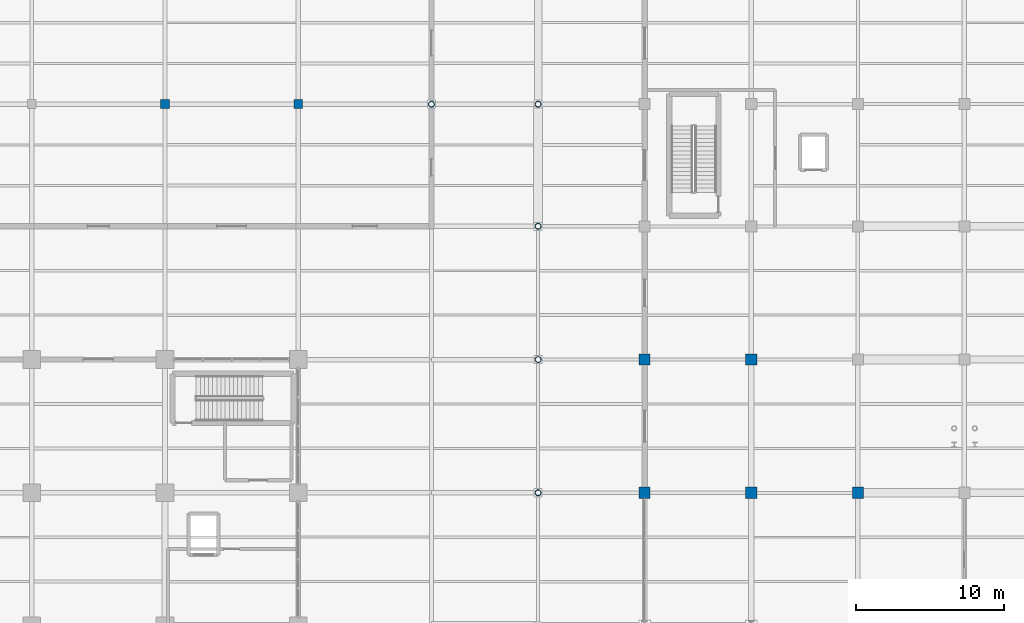
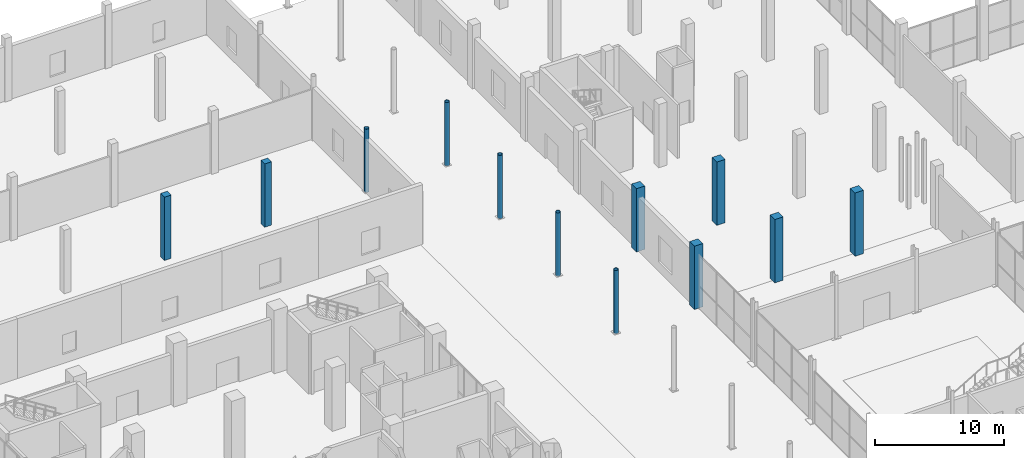
# One storey, part 7 of 144: 12 columns.
"""IFC4 building model written with IfcOpenShell, lengths in metres."""

from ifc_helpers import new_model, si_unit, direction, frame, origin, origin_2d, place, context, subcontext, project, spatial, rectangle, hollow_circle, extrude, material, material_profile, profile_set, type_object, element, save


model = new_model("IFC4")

# Units and contexts
model_context = context("Model", 3, precision=1e-05, world=origin(), true_north=direction((0.0, 1.0)))
body_context = subcontext(model_context, "Body", "Model", "MODEL_VIEW")
ifc_project = project(units=[si_unit("LENGTHUNIT", "METRE"), si_unit("AREAUNIT", "SQUARE_METRE"), si_unit("VOLUMEUNIT", "CUBIC_METRE"), si_unit("PLANEANGLEUNIT", "RADIAN"), si_unit("MASSUNIT", "GRAM", prefix="KILO")], contexts=[model_context])

# Site, building, storey
site_placement = place(None, origin())
site = spatial("IfcSite", under=ifc_project, at=site_placement, CompositionType="ELEMENT")
building_placement = place(site_placement, origin())
building = spatial("IfcBuilding", under=site, at=building_placement, Name="Sundgate Opera House", CompositionType="ELEMENT")
storey_placement = place(building_placement, origin())
storey = spatial("IfcBuildingStorey", under=building, at=storey_placement, Name="L00", CompositionType="ELEMENT", Elevation=0.0)

# Columns
ifc_material_1 = material(Name="Steel S355ML", Category="steel")
ifc_material_profile_1 = material_profile(ifc_material_1, hollow_circle(Radius=0.203125, WallThickness=0.02001953125, at=origin_2d()), Name="CHS 406.4x20.0")
ifc_profile_set_1 = profile_set([ifc_material_profile_1], Name="Steel S355ML")
column_type_1 = type_object("IfcColumnType", Name="CL-CHS-406", PredefinedType="COLUMN", material=ifc_profile_set_1)
for number, where, z_axis, x_axis, name in (
    (1, (81.0, 95.25, 0.0), (0.0, 0.0, 1.0), (1.0, 0.0, 0.0), "L00 Column C0569"),
    (2, (88.199951171875, 69.0, 0.0), (0.0, 0.0, 1.0), (1.0, 0.0, 0.0), "L00 Column C0605"),
    (3, (88.199951171875, 78.0, 0.0), (0.0, 0.0, 1.0), (1.0, 0.0, 0.0), "L00 Column C0608"),
    (4, (88.199951171875, 87.0, 0.0), (0.0, 0.0, 1.0), (1.0, 0.0, 0.0), "L00 Column C0611"),
    (5, (88.199951171875, 95.25, 0.0), (0.0, 0.0, 1.0), (1.0, 0.0, 0.0), "L00 Column C0614"),
):
    element("IfcColumn", number, at=place(storey_placement, frame(where, z_axis=z_axis, x_axis=x_axis)), inside=storey, type_object=column_type_1, Name=name, PredefinedType="COLUMN", context=body_context, shape_type="SweptSolid", body=[
        extrude(hollow_circle(Radius=0.203125, WallThickness=0.02001953125, at=origin_2d()), origin(), (0.0, 0.0, 1.0), 6.0),
    ])
ifc_material_2 = material(Name="Concrete C35/45", Category="concrete")
ifc_material_profile_2 = material_profile(ifc_material_2, rectangle(XDim=0.60009765625, YDim=0.60009765625, at=origin_2d()), Name="RC 600x600")
ifc_profile_set_2 = profile_set([ifc_material_profile_2], Name="Concrete C35/45")
column_type_2 = type_object("IfcColumnType", Name="CL-RC-600", PredefinedType="COLUMN", material=ifc_profile_set_2)
for number, where, z_axis, x_axis, name in (
    (6, (63.0, 95.25, 0.0), (0.0, 0.0, 1.0), (1.0, 0.0, 0.0), "L00 Column C0439"),
    (7, (72.0, 95.25, 0.0), (0.0, 0.0, 1.0), (1.0, 0.0, 0.0), "L00 Column C0506"),
):
    element("IfcColumn", number, at=place(storey_placement, frame(where, z_axis=z_axis, x_axis=x_axis)), inside=storey, type_object=column_type_2, Name=name, PredefinedType="COLUMN", context=body_context, shape_type="SweptSolid", body=[
        extrude(rectangle(XDim=0.60009765625, YDim=0.60009765625, at=origin_2d()), origin(), (0.0, 0.0, 1.0), 6.0),
    ])
ifc_material_3 = material(Name="Concrete C40/50", Category="concrete")
ifc_material_profile_3 = material_profile(ifc_material_3, rectangle(XDim=0.75, YDim=0.75, at=origin_2d()), Name="RC 750x750")
ifc_profile_set_3 = profile_set([ifc_material_profile_3], Name="Concrete C40/50")
column_type_3 = type_object("IfcColumnType", Name="CL-RC-750", PredefinedType="COLUMN", material=ifc_profile_set_3)
for number, where, z_axis, x_axis, name in (
    (8, (95.39990234375, 69.0, 0.0), (0.0, 0.0, 1.0), (1.0, 0.0, 0.0), "L00 Column C0657"),
    (9, (95.39990234375, 78.0, 0.0), (0.0, 0.0, 1.0), (1.0, 0.0, 0.0), "L00 Column C0663"),
    (10, (102.60009765625, 69.0, 0.0), (0.0, 0.0, 1.0), (1.0, 0.0, 0.0), "L00 Column C0721"),
    (11, (102.60009765625, 78.0, 0.0), (0.0, 0.0, 1.0), (1.0, 0.0, 0.0), "L00 Column C0727"),
    (12, (109.800048828125, 69.0, 0.0), (0.0, 0.0, 1.0), (1.0, 0.0, 0.0), "L00 Column C0785"),
):
    element("IfcColumn", number, at=place(storey_placement, frame(where, z_axis=z_axis, x_axis=x_axis)), inside=storey, type_object=column_type_3, Name=name, PredefinedType="COLUMN", context=body_context, shape_type="SweptSolid", body=[
        extrude(rectangle(XDim=0.75, YDim=0.75, at=origin_2d()), origin(), (0.0, 0.0, 1.0), 6.0),
    ])

save(model, "model.ifc")
